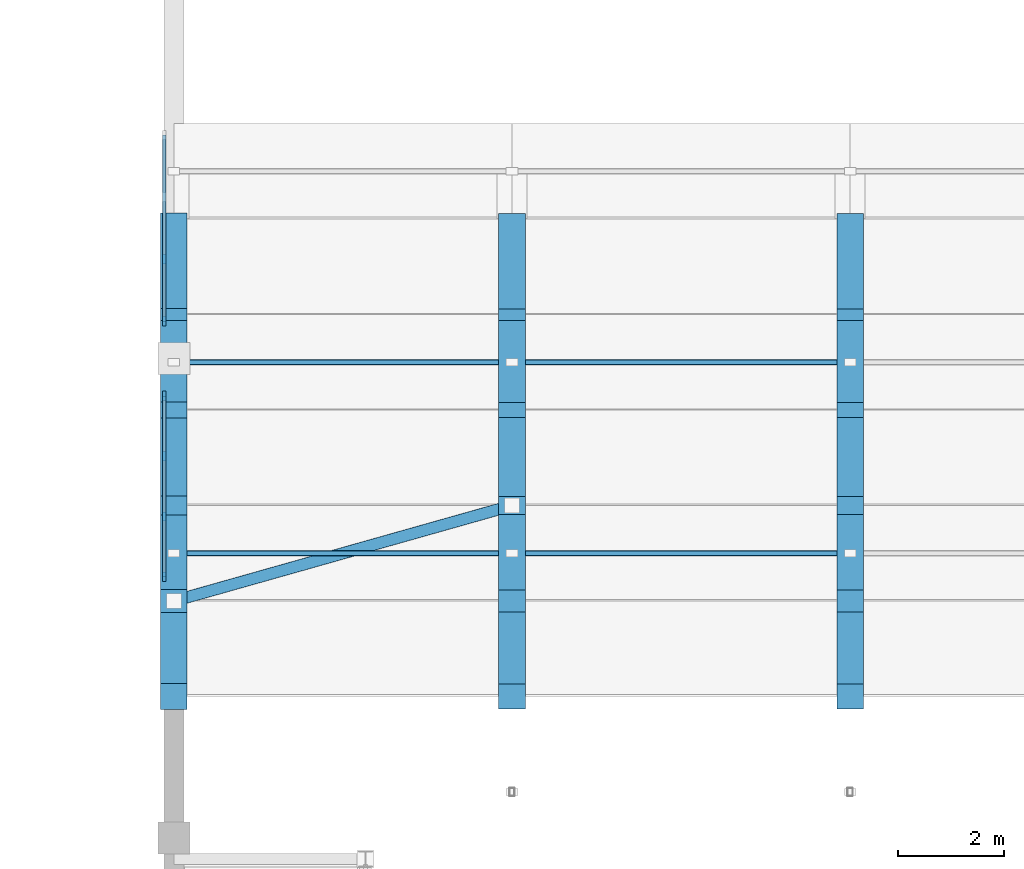
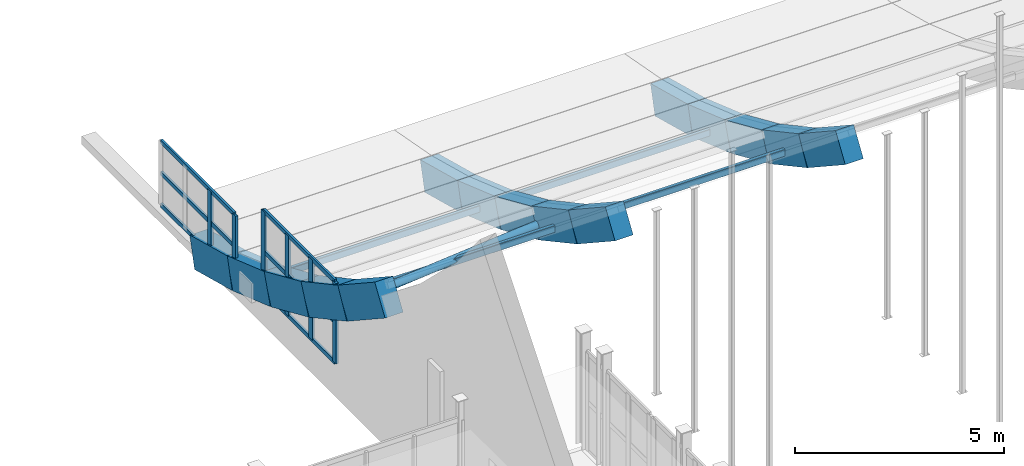
# One storey, part 20 of 77: 32 members, 2 elements without a shape of their own.
"""IFC4 building model written with IfcOpenShell, lengths in metres."""

from ifc_helpers import new_model, si_unit, direction, frame, origin, origin_2d, place, context, subcontext, project, spatial, rectangle, hollow_rectangle, hollow_circle, extrude, material, layer, layer_set, material_profile, profile_set, type_object, element, aggregate, save


model = new_model("IFC4")

# Units and contexts
model_context = context("Model", 3, precision=1e-05, world=origin(), true_north=direction((0.0, 1.0)))
body_context = subcontext(model_context, "Body", "Model", "MODEL_VIEW")
ifc_project = project(units=[si_unit("LENGTHUNIT", "METRE"), si_unit("AREAUNIT", "SQUARE_METRE"), si_unit("VOLUMEUNIT", "CUBIC_METRE"), si_unit("PLANEANGLEUNIT", "RADIAN"), si_unit("MASSUNIT", "GRAM", prefix="KILO")], contexts=[model_context])

# Site, building, storey
site_placement = place(None, origin())
site = spatial("IfcSite", under=ifc_project, at=site_placement, CompositionType="ELEMENT")
building_placement = place(site_placement, origin())
building = spatial("IfcBuilding", under=site, at=building_placement, Name="Trellovar Central Fire Station", CompositionType="ELEMENT")
storey_placement = place(building_placement, frame((0.0, 0.0, 5.85009765625)))
storey = spatial("IfcBuildingStorey", under=building, at=storey_placement, Name="L02", CompositionType="ELEMENT", Elevation=5.85009765625)

# Curtain wall, members
ifc_material_1 = material(Name="Thermally broken bronze anodized aluminum", Category="aluminium")
ifc_layer_1 = layer(ifc_material_1, 0.159912109375)
ifc_layer_set_1 = layer_set([ifc_layer_1], Name="Thermally broken bronze anodized aluminum")
curtain_wall_type_1 = type_object("IfcCurtainWallType", Name="CW-16", PredefinedType="NOTDEFINED", material=ifc_layer_set_1)
curtain_wall_1_placement = place(storey_placement, origin())
curtain_wall_1 = element("IfcCurtainWall", 1, at=curtain_wall_1_placement, inside=storey, type_object=curtain_wall_type_1, Name="V1 W ski-jump gable clerestory 4", PredefinedType="NOTDEFINED")
ifc_material_2 = material(Name="Thermally broken bronze anodized aluminum", Category="aluminium")
ifc_material_profile_1 = material_profile(ifc_material_2, rectangle(XDim=0.06494140625, YDim=0.175048828125, at=origin_2d()), Name="ALU65X175")
ifc_profile_set_1 = profile_set([ifc_material_profile_1], Name="Thermally broken bronze anodized aluminum")
member_type_1 = type_object("IfcMemberType", Name="CWM-2", PredefinedType="MULLION", material=ifc_profile_set_1)
member_1_placement = place(storey_placement, frame((34.820068359375, 33.89990234375, 0.5498046875), z_axis=(0.0, 0.0, 1.0), x_axis=(1.0, 0.0, 0.0)))
member_1 = element("IfcMember", 2, at=member_1_placement, type_object=member_type_1, Name="CW3-L02-0014 mullion 1", PredefinedType="MULLION", context=body_context, shape_type="SweptSolid", body=[
    extrude(rectangle(XDim=0.06494140625, YDim=0.175048828125, at=origin_2d()), origin(), (0.0, 0.0, 1.0), 2.35009765625),
])
member_2_placement = place(storey_placement, frame((34.820068359375, 35.033203125, 0.5498046875), z_axis=(0.0, 0.0, 1.0), x_axis=(1.0, 0.0, 0.0)))
member_2 = element("IfcMember", 3, at=member_2_placement, type_object=member_type_1, Name="CW3-L02-0014 mullion 2", PredefinedType="MULLION", context=body_context, shape_type="SweptSolid", body=[
    extrude(rectangle(XDim=0.06494140625, YDim=0.175048828125, at=origin_2d()), origin(), (0.0, 0.0, 1.0), 2.35009765625),
])
member_3_placement = place(storey_placement, frame((34.820068359375, 36.166748046875, 0.5498046875), z_axis=(0.0, 0.0, 1.0), x_axis=(1.0, 0.0, 0.0)))
member_3 = element("IfcMember", 4, at=member_3_placement, type_object=member_type_1, Name="CW3-L02-0014 mullion 3", PredefinedType="MULLION", context=body_context, shape_type="SweptSolid", body=[
    extrude(rectangle(XDim=0.06494140625, YDim=0.175048828125, at=origin_2d()), origin(), (0.0, 0.0, 1.0), 2.35009765625),
])
member_4_placement = place(storey_placement, frame((34.820068359375, 37.300048828125, 0.5498046875), z_axis=(0.0, 0.0, 1.0), x_axis=(1.0, 0.0, 0.0)))
member_4 = element("IfcMember", 5, at=member_4_placement, type_object=member_type_1, Name="CW3-L02-0014 mullion 4", PredefinedType="MULLION", context=body_context, shape_type="SweptSolid", body=[
    extrude(rectangle(XDim=0.06494140625, YDim=0.175048828125, at=origin_2d()), origin(), (0.0, 0.0, 1.0), 2.35009765625),
])

ifc_material_3 = material(Name="Thermally broken bronze anodized aluminum", Category="aluminium")
ifc_layer_2 = layer(ifc_material_3, 0.159912109375)
ifc_layer_set_2 = layer_set([ifc_layer_2], Name="Thermally broken bronze anodized aluminum")
curtain_wall_type_2 = type_object("IfcCurtainWallType", Name="CW-07", PredefinedType="NOTDEFINED", material=ifc_layer_set_2)
curtain_wall_2_placement = place(storey_placement, origin())
curtain_wall_2 = element("IfcCurtainWall", 6, at=curtain_wall_2_placement, inside=storey, type_object=curtain_wall_type_2, Name="V1 W ski-jump gable clerestory 5", PredefinedType="NOTDEFINED")
member_5_placement = place(storey_placement, frame((34.820068359375, 38.699951171875, 0.099853515625), z_axis=(0.0, 0.0, 1.0), x_axis=(1.0, 0.0, 0.0)))
member_5 = element("IfcMember", 7, at=member_5_placement, type_object=member_type_1, Name="CW3-L02-0015 mullion 1", PredefinedType="MULLION", context=body_context, shape_type="SweptSolid", body=[
    extrude(rectangle(XDim=0.06494140625, YDim=0.175048828125, at=origin_2d()), origin(), (0.0, 0.0, 1.0), 1.85009765625),
])
member_6_placement = place(storey_placement, frame((34.820068359375, 39.86669921875, 0.099853515625), z_axis=(0.0, 0.0, 1.0), x_axis=(1.0, 0.0, 0.0)))
member_6 = element("IfcMember", 8, at=member_6_placement, type_object=member_type_1, Name="CW3-L02-0015 mullion 2", PredefinedType="MULLION", context=body_context, shape_type="SweptSolid", body=[
    extrude(rectangle(XDim=0.06494140625, YDim=0.175048828125, at=origin_2d()), origin(), (0.0, 0.0, 1.0), 1.85009765625),
])

# Member
ifc_material_4 = material(Name="Thermally broken bronze anodized aluminum", Category="aluminium")
ifc_material_profile_2 = material_profile(ifc_material_4, rectangle(XDim=0.06005859375, YDim=0.1201171875, at=origin_2d()), Name="ALU60X120")
ifc_profile_set_2 = profile_set([ifc_material_profile_2], Name="Thermally broken bronze anodized aluminum")
member_type_2 = type_object("IfcMemberType", Name="CWT-2", PredefinedType="USERDEFINED", material=ifc_profile_set_2)
member_7_placement = place(storey_placement, frame((34.820068359375, 33.89990234375, 0.5498046875), z_axis=(0.0, 1.0, 0.0), x_axis=(-1.0, 0.0, 0.0)))
member_7 = element("IfcMember", 9, at=member_7_placement, type_object=member_type_2, Name="CW3-L02-0014 transom 1", ObjectType="TRANSOM", PredefinedType="USERDEFINED", context=body_context, shape_type="SweptSolid", body=[
    extrude(rectangle(XDim=0.06005859375, YDim=0.1201171875, at=origin_2d()), origin(), (0.0, 0.0, 1.0), 3.400146484375),
])

member_8_placement = place(storey_placement, frame((34.820068359375, 33.89990234375, 1.724853515625), z_axis=(0.0, 1.0, 0.0), x_axis=(-1.0, 0.0, 0.0)))
member_8 = element("IfcMember", 10, at=member_8_placement, type_object=member_type_2, Name="CW3-L02-0014 transom 2", ObjectType="TRANSOM", PredefinedType="USERDEFINED", context=body_context, shape_type="SweptSolid", body=[
    extrude(rectangle(XDim=0.06005859375, YDim=0.1201171875, at=origin_2d()), origin(), (0.0, 0.0, 1.0), 3.400146484375),
])

member_9_placement = place(storey_placement, frame((34.820068359375, 33.89990234375, 2.89990234375), z_axis=(0.0, 1.0, 0.0), x_axis=(-1.0, 0.0, 0.0)))
member_9 = element("IfcMember", 11, at=member_9_placement, type_object=member_type_2, Name="CW3-L02-0014 transom 3", ObjectType="TRANSOM", PredefinedType="USERDEFINED", context=body_context, shape_type="SweptSolid", body=[
    extrude(rectangle(XDim=0.06005859375, YDim=0.1201171875, at=origin_2d()), origin(), (0.0, 0.0, 1.0), 3.400146484375),
])

aggregate(curtain_wall_1, [member_1, member_2, member_3, member_4, member_7, member_8, member_9])

member_10_placement = place(storey_placement, frame((34.820068359375, 38.699951171875, 0.099853515625), z_axis=(0.0, 1.0, 0.0), x_axis=(-1.0, 0.0, 0.0)))
member_10 = element("IfcMember", 12, at=member_10_placement, type_object=member_type_2, Name="CW3-L02-0015 transom 1", ObjectType="TRANSOM", PredefinedType="USERDEFINED", context=body_context, shape_type="SweptSolid", body=[
    extrude(rectangle(XDim=0.06005859375, YDim=0.1201171875, at=origin_2d()), origin(), (0.0, 0.0, 1.0), 3.5),
])

member_11_placement = place(storey_placement, frame((34.820068359375, 38.699951171875, 1.02490234375), z_axis=(0.0, 1.0, 0.0), x_axis=(-1.0, 0.0, 0.0)))
member_11 = element("IfcMember", 13, at=member_11_placement, type_object=member_type_2, Name="CW3-L02-0015 transom 2", ObjectType="TRANSOM", PredefinedType="USERDEFINED", context=body_context, shape_type="SweptSolid", body=[
    extrude(rectangle(XDim=0.06005859375, YDim=0.1201171875, at=origin_2d()), origin(), (0.0, 0.0, 1.0), 3.5),
])

member_12_placement = place(storey_placement, frame((34.820068359375, 38.699951171875, 1.949951171875), z_axis=(0.0, 1.0, 0.0), x_axis=(-1.0, 0.0, 0.0)))
member_12 = element("IfcMember", 14, at=member_12_placement, type_object=member_type_2, Name="CW3-L02-0015 transom 3", ObjectType="TRANSOM", PredefinedType="USERDEFINED", context=body_context, shape_type="SweptSolid", body=[
    extrude(rectangle(XDim=0.06005859375, YDim=0.1201171875, at=origin_2d()), origin(), (0.0, 0.0, 1.0), 3.5),
])

aggregate(curtain_wall_2, [member_5, member_6, member_10, member_11, member_12])

# Members
ifc_material_5 = material(Name="Concrete C40/50", Category="concrete")
ifc_material_profile_3 = material_profile(ifc_material_5, rectangle(XDim=0.5, YDim=0.89990234375, at=origin_2d()), Name="RC500X900")
ifc_profile_set_3 = profile_set([ifc_material_profile_3], Name="Concrete C40/50")
member_type_3 = type_object("IfcMemberType", Name="MEM-AR1", PredefinedType="CHORD", material=ifc_profile_set_3)
member_13_placement = place(storey_placement, frame((35.0, 31.6533203125, 3.73974609375), z_axis=(0.0, 0.835516018722, -0.549466088544), x_axis=(-1.0, 0.0, 0.0)))
element("IfcMember", 15, at=member_13_placement, inside=storey, type_object=member_type_3, Name="Parabolic arch rib AR-01 chord 11", PredefinedType="CHORD", context=body_context, shape_type="SweptSolid", body=[
    extrude(rectangle(XDim=0.5, YDim=0.89990234375, at=origin_2d()), origin(), (0.0, 0.0, 1.0), 2.146484375),
])
member_14_placement = place(storey_placement, frame((35.0, 33.44677734375, 2.560302734375), z_axis=(0.0, 0.879319122317, -0.476233011379), x_axis=(-1.0, 0.0, 0.0)))
element("IfcMember", 16, at=member_14_placement, inside=storey, type_object=member_type_3, Name="Parabolic arch rib AR-01 chord 12", PredefinedType="CHORD", context=body_context, shape_type="SweptSolid", body=[
    extrude(rectangle(XDim=0.5, YDim=0.89990234375, at=origin_2d()), origin(), (0.0, 0.0, 1.0), 2.039306640625),
])
member_15_placement = place(storey_placement, frame((35.0, 35.239990234375, 1.589111328125), z_axis=(0.0, 0.915259901496, -0.402863888569), x_axis=(-1.0, 0.0, 0.0)))
element("IfcMember", 17, at=member_15_placement, inside=storey, type_object=member_type_3, Name="Parabolic arch rib AR-01 chord 13", PredefinedType="CHORD", context=body_context, shape_type="SweptSolid", body=[
    extrude(rectangle(XDim=0.5, YDim=0.89990234375, at=origin_2d()), origin(), (0.0, 0.0, 1.0), 1.959228515625),
])
member_16_placement = place(storey_placement, frame((35.0, 37.033203125, 0.7998046875), z_axis=(0.0, 0.94410254219, -0.329651922232), x_axis=(-1.0, 0.0, 0.0)))
element("IfcMember", 18, at=member_16_placement, inside=storey, type_object=member_type_3, Name="Parabolic arch rib AR-01 chord 14", PredefinedType="CHORD", context=body_context, shape_type="SweptSolid", body=[
    extrude(rectangle(XDim=0.5, YDim=0.89990234375, at=origin_2d()), origin(), (0.0, 0.0, 1.0), 1.899658203125),
])
member_17_placement = place(storey_placement, frame((35.0, 38.82666015625, 0.173583984375), z_axis=(0.0, 0.966592167816, -0.25631929525), x_axis=(-1.0, 0.0, 0.0)))
element("IfcMember", 19, at=member_17_placement, inside=storey, type_object=member_type_3, Name="Parabolic arch rib AR-01 chord 15", PredefinedType="CHORD", context=body_context, shape_type="SweptSolid", body=[
    extrude(rectangle(XDim=0.5, YDim=0.89990234375, at=origin_2d()), origin(), (0.0, 0.0, 1.0), 1.85546875),
])
ifc_material_6 = material(Name="Concrete C40/50", Category="concrete")
ifc_material_profile_4 = material_profile(ifc_material_6, rectangle(XDim=0.5, YDim=0.85009765625, at=origin_2d()), Name="RC500X850")
ifc_profile_set_4 = profile_set([ifc_material_profile_4], Name="Concrete C40/50")
member_type_4 = type_object("IfcMemberType", Name="MEM-AR2", PredefinedType="CHORD", material=ifc_profile_set_4)
member_18_placement = place(storey_placement, frame((41.35009765625, 31.6533203125, 3.73974609375), z_axis=(0.0, 0.835516018722, -0.549466088544), x_axis=(-1.0, 0.0, 0.0)))
element("IfcMember", 20, at=member_18_placement, inside=storey, type_object=member_type_4, Name="Parabolic arch rib AR-02 chord 11", PredefinedType="CHORD", context=body_context, shape_type="SweptSolid", body=[
    extrude(rectangle(XDim=0.5, YDim=0.85009765625, at=origin_2d()), origin(), (0.0, 0.0, 1.0), 2.146484375),
])
member_19_placement = place(storey_placement, frame((41.35009765625, 33.44677734375, 2.560302734375), z_axis=(0.0, 0.879319122317, -0.476233011379), x_axis=(-1.0, 0.0, 0.0)))
element("IfcMember", 21, at=member_19_placement, inside=storey, type_object=member_type_4, Name="Parabolic arch rib AR-02 chord 12", PredefinedType="CHORD", context=body_context, shape_type="SweptSolid", body=[
    extrude(rectangle(XDim=0.5, YDim=0.85009765625, at=origin_2d()), origin(), (0.0, 0.0, 1.0), 2.039306640625),
])
member_20_placement = place(storey_placement, frame((41.35009765625, 35.239990234375, 1.589111328125), z_axis=(0.0, 0.915259901496, -0.402863888569), x_axis=(-1.0, 0.0, 0.0)))
element("IfcMember", 22, at=member_20_placement, inside=storey, type_object=member_type_4, Name="Parabolic arch rib AR-02 chord 13", PredefinedType="CHORD", context=body_context, shape_type="SweptSolid", body=[
    extrude(rectangle(XDim=0.5, YDim=0.85009765625, at=origin_2d()), origin(), (0.0, 0.0, 1.0), 1.959228515625),
])
member_21_placement = place(storey_placement, frame((41.35009765625, 37.033203125, 0.7998046875), z_axis=(0.0, 0.94410254219, -0.329651922232), x_axis=(-1.0, 0.0, 0.0)))
element("IfcMember", 23, at=member_21_placement, inside=storey, type_object=member_type_4, Name="Parabolic arch rib AR-02 chord 14", PredefinedType="CHORD", context=body_context, shape_type="SweptSolid", body=[
    extrude(rectangle(XDim=0.5, YDim=0.85009765625, at=origin_2d()), origin(), (0.0, 0.0, 1.0), 1.899658203125),
])
member_22_placement = place(storey_placement, frame((41.35009765625, 38.82666015625, 0.173583984375), z_axis=(0.0, 0.966592167816, -0.25631929525), x_axis=(-1.0, 0.0, 0.0)))
element("IfcMember", 24, at=member_22_placement, inside=storey, type_object=member_type_4, Name="Parabolic arch rib AR-02 chord 15", PredefinedType="CHORD", context=body_context, shape_type="SweptSolid", body=[
    extrude(rectangle(XDim=0.5, YDim=0.85009765625, at=origin_2d()), origin(), (0.0, 0.0, 1.0), 1.85546875),
])
member_23_placement = place(storey_placement, frame((47.699951171875, 31.6533203125, 3.73974609375), z_axis=(0.0, 0.835516018722, -0.549466088544), x_axis=(-1.0, 0.0, 0.0)))
element("IfcMember", 25, at=member_23_placement, inside=storey, type_object=member_type_4, Name="Parabolic arch rib AR-03 chord 11", PredefinedType="CHORD", context=body_context, shape_type="SweptSolid", body=[
    extrude(rectangle(XDim=0.5, YDim=0.85009765625, at=origin_2d()), origin(), (0.0, 0.0, 1.0), 2.146484375),
])
member_24_placement = place(storey_placement, frame((47.699951171875, 33.44677734375, 2.560302734375), z_axis=(0.0, 0.879319122317, -0.476233011379), x_axis=(-1.0, 0.0, 0.0)))
element("IfcMember", 26, at=member_24_placement, inside=storey, type_object=member_type_4, Name="Parabolic arch rib AR-03 chord 12", PredefinedType="CHORD", context=body_context, shape_type="SweptSolid", body=[
    extrude(rectangle(XDim=0.5, YDim=0.85009765625, at=origin_2d()), origin(), (0.0, 0.0, 1.0), 2.039306640625),
])
member_25_placement = place(storey_placement, frame((47.699951171875, 35.239990234375, 1.589111328125), z_axis=(0.0, 0.915259901496, -0.402863888569), x_axis=(-1.0, 0.0, 0.0)))
element("IfcMember", 27, at=member_25_placement, inside=storey, type_object=member_type_4, Name="Parabolic arch rib AR-03 chord 13", PredefinedType="CHORD", context=body_context, shape_type="SweptSolid", body=[
    extrude(rectangle(XDim=0.5, YDim=0.85009765625, at=origin_2d()), origin(), (0.0, 0.0, 1.0), 1.959228515625),
])
member_26_placement = place(storey_placement, frame((47.699951171875, 37.033203125, 0.7998046875), z_axis=(0.0, 0.94410254219, -0.329651922232), x_axis=(-1.0, 0.0, 0.0)))
element("IfcMember", 28, at=member_26_placement, inside=storey, type_object=member_type_4, Name="Parabolic arch rib AR-03 chord 14", PredefinedType="CHORD", context=body_context, shape_type="SweptSolid", body=[
    extrude(rectangle(XDim=0.5, YDim=0.85009765625, at=origin_2d()), origin(), (0.0, 0.0, 1.0), 1.899658203125),
])
member_27_placement = place(storey_placement, frame((47.699951171875, 38.82666015625, 0.173583984375), z_axis=(0.0, 0.966592167816, -0.25631929525), x_axis=(-1.0, 0.0, 0.0)))
element("IfcMember", 29, at=member_27_placement, inside=storey, type_object=member_type_4, Name="Parabolic arch rib AR-03 chord 15", PredefinedType="CHORD", context=body_context, shape_type="SweptSolid", body=[
    extrude(rectangle(XDim=0.5, YDim=0.85009765625, at=origin_2d()), origin(), (0.0, 0.0, 1.0), 1.85546875),
])
ifc_material_7 = material(Name="Steel ASTM A500 Grade C", Category="steel")
ifc_material_profile_5 = material_profile(ifc_material_7, hollow_circle(Radius=0.109619140625, WallThickness=0.0087890625, at=origin_2d()), Name="HSS8.625X0.375")
ifc_profile_set_5 = profile_set([ifc_material_profile_5], Name="Steel ASTM A500 Grade C")
member_type_5 = type_object("IfcMemberType", Name="MEM-BR5", PredefinedType="BRACE", material=ifc_profile_set_5)
member_28_placement = place(storey_placement, frame((35.0, 33.44677734375, 2.51025390625), z_axis=(0.952111488671, 0.268868084748, -0.145580445615), x_axis=(-0.271763337884, 0.962364114139, 0.0)))
element("IfcMember", 30, at=member_28_placement, inside=storey, type_object=member_type_5, Name="Vault diagonal brace V1-01-12", PredefinedType="BRACE", context=body_context, shape_type="SweptSolid", body=[
    extrude(hollow_circle(Radius=0.109619140625, WallThickness=0.0087890625, at=origin_2d()), origin(), (0.0, 0.0, 1.0), 6.66943359375),
])
ifc_material_8 = material(Name="Steel ASTM A500 Grade C", Category="steel")
ifc_material_profile_6 = material_profile(ifc_material_8, hollow_rectangle(XDim=0.1015625, YDim=0.203125, WallThickness=0.0087890625, InnerFilletRadius=0.0087890625, OuterFilletRadius=0.017822265625, at=origin_2d()), Name="HSS8X4X3/8")
ifc_profile_set_6 = profile_set([ifc_material_profile_6], Name="Steel ASTM A500 Grade C")
member_type_6 = type_object("IfcMemberType", Name="MEM-PU1", PredefinedType="PURLIN", material=ifc_profile_set_6)
for number, where, z_axis, x_axis, name in (
    (31, (35.0, 34.343505859375, 1.98486328125), (1.0, 0.0, 0.0), (0.0, 1.0, 0.0), "Vault purlin V1-01-12"),
    (32, (35.0, 37.929931640625, 0.396484375), (1.0, 0.0, 0.0), (0.0, 1.0, 0.0), "Vault purlin V1-01-14"),
):
    element("IfcMember", number, at=place(storey_placement, frame(where, z_axis=z_axis, x_axis=x_axis)), inside=storey, type_object=member_type_6, Name=name, PredefinedType="PURLIN", context=body_context, shape_type="SweptSolid", body=[
        extrude(hollow_rectangle(XDim=0.1015625, YDim=0.203125, WallThickness=0.0087890625, InnerFilletRadius=0.0087890625, OuterFilletRadius=0.017822265625, at=origin_2d()), origin(), (0.0, 0.0, 1.0), 6.35009765625),
    ])
for number, where, z_axis, x_axis, name in (
    (33, (41.35009765625, 34.343505859375, 1.98486328125), (1.0, 0.0, 0.0), (0.0, 1.0, 0.0), "Vault purlin V1-02-12"),
    (34, (41.35009765625, 37.929931640625, 0.396484375), (1.0, 0.0, 0.0), (0.0, 1.0, 0.0), "Vault purlin V1-02-14"),
):
    element("IfcMember", number, at=place(storey_placement, frame(where, z_axis=z_axis, x_axis=x_axis)), inside=storey, type_object=member_type_6, Name=name, PredefinedType="PURLIN", context=body_context, shape_type="SweptSolid", body=[
        extrude(hollow_rectangle(XDim=0.1015625, YDim=0.203125, WallThickness=0.0087890625, InnerFilletRadius=0.0087890625, OuterFilletRadius=0.017822265625, at=origin_2d()), origin(), (0.0, 0.0, 1.0), 6.349853515625),
    ])

save(model, "model.ifc")
